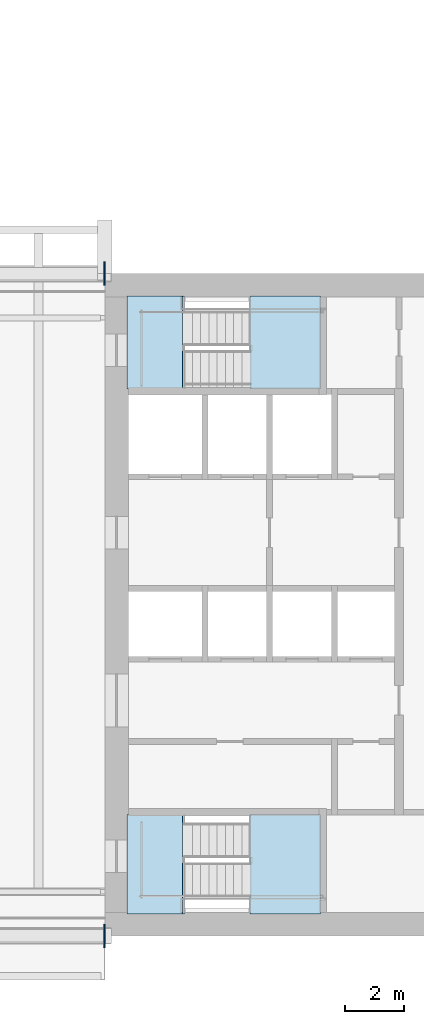
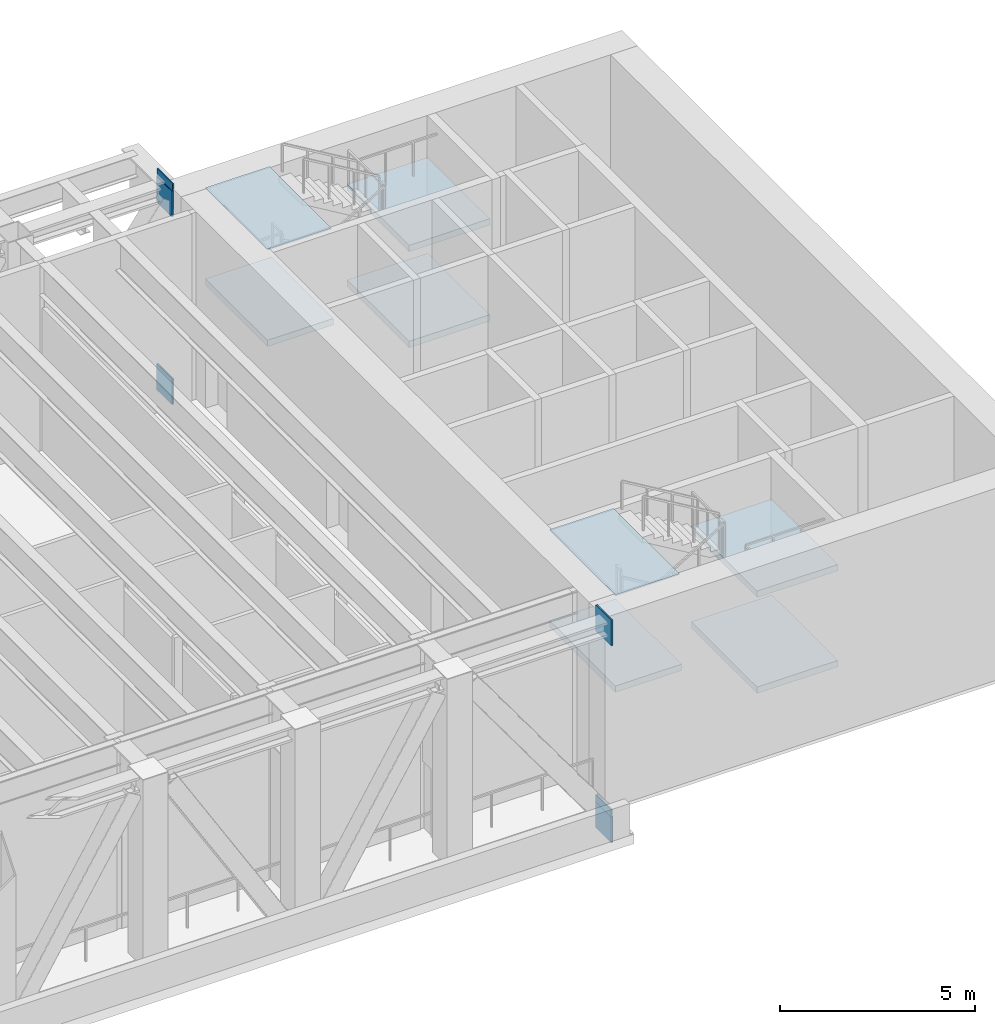
# One storey, part 4 of 20: 9 plates, 8 slabs, 2 elements without a shape of their own.
"""IFC4 building model written with IfcOpenShell, lengths in metres."""

import ifcopenshell
import ifcopenshell.guid

model = None  # the IFC model being written
_history = None  # IfcOwnerHistory: only IFC2X3 demands one
_inside = {}  # id of a spatial element -> (the spatial element, [elements in it])
_under = {}  # id of a project, library or spatial element -> (it, [spatial elements below it])
_declared = {}  # id of a project -> (the project, [libraries it declares])
_typed = {}  # id of a type object -> (the type object, [elements of that type])
_made_of = {}  # id of a material, layer set ... -> (it, [elements and type objects made of it])


def new_model(schema):
    """Start an empty IFC model of exactly this schema.

    Asked for "IFC4X3", IfcOpenShell would pick the latest addendum, in which some entities
    have other attributes; the version numbers below select the first issue.
    IFC2X3 requires an IfcOwnerHistory on every rooted entity: one is made here for all.
    """
    global model, _history
    if schema == "IFC4X3":
        model = ifcopenshell.file(schema_version=(4, 3, 0, 0))
    else:
        model = ifcopenshell.file(schema=schema)
    _inside.clear()
    _under.clear()
    _declared.clear()
    _typed.clear()
    _made_of.clear()
    _history = None
    if model.schema == "IFC2X3":
        org = make("IfcOrganization", Name="unknown")
        user = make(
            "IfcPersonAndOrganization",
            ThePerson=make("IfcPerson", FamilyName="unknown"),
            TheOrganization=org,
        )
        app = make(
            "IfcApplication",
            ApplicationDeveloper=org,
            Version="unknown",
            ApplicationFullName="unknown",
            ApplicationIdentifier="unknown",
        )
        _history = make(
            "IfcOwnerHistory",
            OwningUser=user,
            OwningApplication=app,
            ChangeAction="ADDED",
            CreationDate=0,
        )
    return model


def make(cls, **values):
    """One entity of the class cls with the attributes given. An attribute that is None is left unset."""
    return model.create_entity(
        cls, **{name: value for name, value in values.items() if value is not None}
    )


def rooted(cls, **values):
    """An entity with a GlobalId (a new one), such as an element, a storey or a relation."""
    return make(cls, GlobalId=ifcopenshell.guid.new(), OwnerHistory=_history, **values)


def si_unit(unit_type, name, prefix=None):
    """IfcSIUnit, for example si_unit("LENGTHUNIT", "METRE", prefix="MILLI")."""
    return make("IfcSIUnit", UnitType=unit_type, Prefix=prefix, Name=name)


def assignment(units):
    """IfcUnitAssignment: the units of a project."""
    return None if units is None else make("IfcUnitAssignment", Units=units)


def point(xyz):
    """IfcCartesianPoint."""
    return None if xyz is None else make("IfcCartesianPoint", Coordinates=xyz)


def direction(xyz):
    """IfcDirection."""
    return None if xyz is None else make("IfcDirection", DirectionRatios=xyz)


def frame(location, z_axis=None, x_axis=None):
    """IfcAxis2Placement3D, a coordinate frame: its origin and axes. An axis left out is left unset."""
    return make(
        "IfcAxis2Placement3D",
        Location=point(location),
        Axis=direction(z_axis),
        RefDirection=direction(x_axis),
    )


def frame_2d(location, x_axis=None):
    """IfcAxis2Placement2D, a coordinate frame in the plane: its origin and x axis."""
    return make(
        "IfcAxis2Placement2D", Location=point(location), RefDirection=direction(x_axis)
    )


def origin():
    """The frame at (0, 0, 0) with its axes left unset."""
    return frame((0.0, 0.0, 0.0))


def origin_2d():
    """The frame at (0, 0) in the plane with its x axis left unset."""
    return frame_2d((0.0, 0.0))


def place(relative_to, where):
    """IfcLocalPlacement: puts the frame where relative to a parent placement (None: the world)."""
    return make(
        "IfcLocalPlacement", PlacementRelTo=relative_to, RelativePlacement=where
    )


def context(
    kind, dimensions, precision=None, world=None, true_north=None, identifier=None
):
    """IfcGeometricRepresentationContext, for example the 3D "Model" context."""
    return make(
        "IfcGeometricRepresentationContext",
        ContextIdentifier=identifier,
        ContextType=kind,
        CoordinateSpaceDimension=dimensions,
        Precision=precision,
        WorldCoordinateSystem=world,
        TrueNorth=true_north,
    )


def subcontext(parent, identifier, kind, view, scale=None):
    """IfcGeometricRepresentationSubContext, for example "Body" below "Model"."""
    return make(
        "IfcGeometricRepresentationSubContext",
        ContextIdentifier=identifier,
        ContextType=kind,
        ParentContext=parent,
        TargetScale=scale,
        TargetView=view,
    )


def project(units=None, contexts=None):
    """IfcProject with its units and contexts."""
    return rooted(
        "IfcProject",
        Name="project",
        RepresentationContexts=contexts,
        UnitsInContext=assignment(units),
    )


def spatial(cls, under=None, at=None, **own):
    """A site, building, storey or space (cls), placed at a placement, below another one or the project."""
    s = rooted(cls, ObjectPlacement=at, **own)
    if under is not None:
        _under.setdefault(under.id(), (under, []))[1].append(s)
    return s


def polyline(points):
    """IfcPolyline through the points."""
    return make("IfcPolyline", Points=[point(p) for p in points])


def profile(cls, at=None, kind="AREA", **sizes):
    """A parametric profile (cls). Its sizes go by their IFC names, for example OverallWidth=200.0."""
    return make(cls, ProfileType=kind, Position=at, **sizes)


def rectangle(**sizes):
    """IfcRectangleProfileDef."""
    return profile("IfcRectangleProfileDef", **sizes)


def outline(outer, holes=None, kind="AREA"):
    """IfcArbitraryClosedProfileDef: a profile drawn as a closed curve; with holes, ...WithVoids."""
    if holes is None:
        return make("IfcArbitraryClosedProfileDef", ProfileType=kind, OuterCurve=outer)
    return make(
        "IfcArbitraryProfileDefWithVoids",
        ProfileType=kind,
        OuterCurve=outer,
        InnerCurves=holes,
    )


def extrude(swept, where, along, depth):
    """IfcExtrudedAreaSolid: the profile swept, set in the frame where, extruded along a direction by depth."""
    return make(
        "IfcExtrudedAreaSolid",
        SweptArea=swept,
        Position=where,
        ExtrudedDirection=direction(along),
        Depth=depth,
    )


def shape(context_of_items, identifier, shape_type, items):
    """IfcShapeRepresentation: the items that make up one representation, for example the "Body"."""
    return make(
        "IfcShapeRepresentation",
        ContextOfItems=context_of_items,
        RepresentationIdentifier=identifier,
        RepresentationType=shape_type,
        Items=items,
    )


def material(Name=None, Category=None):
    """IfcMaterial."""
    return make("IfcMaterial", Name=Name, Category=Category)


def layer(
    of_material, thickness, ventilated=None, Name=None, Category=None, Priority=None
):
    """IfcMaterialLayer: one layer of a wall or slab, of a material (None: an air gap)."""
    return make(
        "IfcMaterialLayer",
        Material=of_material,
        LayerThickness=thickness,
        IsVentilated=ventilated,
        Name=Name,
        Category=Category,
        Priority=Priority,
    )


def layer_set(layers, Name=None):
    """IfcMaterialLayerSet."""
    return make("IfcMaterialLayerSet", MaterialLayers=layers, LayerSetName=Name)


def made_of(thing, what):
    """Note that an element or type object is made of a material, layer set ...; save() writes the relation."""
    if what is not None:
        _made_of.setdefault(what.id(), (what, []))[1].append(thing)
    return thing


def type_object(cls, material=None, **own):
    """A type object (cls), such as IfcWallType, which elements share."""
    return made_of(rooted(cls, **own), material)


def element(
    cls,
    number,
    at=None,
    inside=None,
    cuts=None,
    type_object=None,
    material=None,
    context=None,
    identifier="Body",
    shape_type=None,
    held_by="IfcProductDefinitionShape",
    body=None,
    shapes=None,
    **own,
):
    """One element of the class cls, such as IfcWall. Its Tag is "e" and its number.

    at: its placement. inside: the storey or other place that contains it. cuts: it is an
    opening in that element (IfcRelVoidsElement). A single representation is given by context,
    identifier, shape_type and body (its items); several are given by shapes. held_by: the class
    of the entity that holds the representations. save() writes the other relations.
    """
    e = rooted(cls, Tag="e%d" % number, ObjectPlacement=at, **own)
    if body is not None:
        shapes = [shape(context, identifier, shape_type, body)]
    if shapes is not None:
        e.Representation = make(held_by, Representations=shapes)
    if inside is not None:
        _inside.setdefault(inside.id(), (inside, []))[1].append(e)
    if cuts is not None:
        rooted(
            "IfcRelVoidsElement", RelatingBuildingElement=cuts, RelatedOpeningElement=e
        )
    if type_object is not None:
        _typed.setdefault(type_object.id(), (type_object, []))[1].append(e)
    return made_of(e, material)


def aggregate(whole, parts):
    """IfcRelAggregates: a whole, such as a stair, and the parts it consists of."""
    return rooted("IfcRelAggregates", RelatingObject=whole, RelatedObjects=parts)


def save(model, path):
    """Write the relations noted so far, then the file.

    IfcRelAggregates (storeys below a building ...), IfcRelContainedInSpatialStructure (elements
    in a storey), IfcRelDefinesByType, IfcRelAssociatesMaterial and IfcRelDeclares: one each for
    every whole, place, type object, material and project.
    """
    for whole, parts in _under.values():
        aggregate(whole, parts)
    for where, things in _inside.values():
        rooted(
            "IfcRelContainedInSpatialStructure",
            RelatedElements=things,
            RelatingStructure=where,
        )
    for kind, things in _typed.values():
        rooted("IfcRelDefinesByType", RelatedObjects=things, RelatingType=kind)
    for what, things in _made_of.values():
        rooted("IfcRelAssociatesMaterial", RelatedObjects=things, RelatingMaterial=what)
    for by, libraries in _declared.values():
        rooted("IfcRelDeclares", RelatingContext=by, RelatedDefinitions=libraries)
    model.write(path)


model = new_model("IFC4")

# Units and contexts
model_context = context("Model", 3, precision=1e-05, world=origin(), true_north=direction((0.0, 1.0)))
body_context = subcontext(model_context, "Body", "Model", "MODEL_VIEW")
ifc_project = project(units=[si_unit("LENGTHUNIT", "METRE"), si_unit("AREAUNIT", "SQUARE_METRE"), si_unit("VOLUMEUNIT", "CUBIC_METRE"), si_unit("PLANEANGLEUNIT", "RADIAN"), si_unit("MASSUNIT", "GRAM", prefix="KILO")], contexts=[model_context])

# Site, building, storey
site_placement = place(None, origin())
site = spatial("IfcSite", under=ifc_project, at=site_placement, CompositionType="ELEMENT")
building_placement = place(site_placement, origin())
building = spatial("IfcBuilding", under=site, at=building_placement, Name="Sennacour Bend Tower", CompositionType="ELEMENT")
storey_placement = place(building_placement, frame((0.0, 0.0, 243.0)))
storey = spatial("IfcBuildingStorey", under=building, at=storey_placement, Name="L56", CompositionType="ELEMENT", Elevation=243.0)

# Plates
ifc_material_1 = material(Name="Steel ASTM A572 Grade 50", Category="steel")
ifc_layer_1 = layer(ifc_material_1, 0.0400390625, Name="Steel ASTM A572 Grade 50", Category="steel")
ifc_layer_set_1 = layer_set([ifc_layer_1], Name="Steel ASTM A572 Grade 50")
plate_type = type_object("IfcPlateType", Name="Cast-in plate 40", PredefinedType="USERDEFINED", material=ifc_layer_set_1)
for number, where, z_axis, x_axis, name in (
    (1, (54.0, 22.5, -0.87744140625), (0.0, 0.0, 1.0), (1.0, 0.0, 0.0), "Cast-in plate CP 40"),
    (2, (53.97998046875, 22.5, -0.87744140625), (0.0, 0.0, 1.0), (1.0, 0.0, 0.0), "Cast-in plate CP BC 40"),
    (3, (54.0, 0.0, -0.927734375), (0.0, 0.0, 1.0), (1.0, 0.0, 0.0), "Cast-in plate CP 40"),
    (4, (53.97998046875, 0.0, -0.927734375), (0.0, 0.0, 1.0), (1.0, 0.0, 0.0), "Cast-in plate CP BC 40"),
    (5, (54.0, 22.5, 5.22265625), (0.0, 0.0, 1.0), (1.0, 0.0, 0.0), "Cast-in plate CP 40"),
    (6, (54.0, 0.0, 5.22265625), (0.0, 0.0, 1.0), (1.0, 0.0, 0.0), "Cast-in plate CP 40"),
    (7, (53.97998046875, 0.0, 5.22265625), (0.0, 0.0, 1.0), (1.0, 0.0, 0.0), "Cast-in plate CP BC 40"),
    (8, (53.97998046875, 22.5, 4.9951171875), (0.0, 0.0, 1.0), (1.0, 0.0, 0.0), "Cast-in plate CP OTD 40"),
    (9, (53.97998046875, 0.0, -0.7001953125), (0.0, 0.0, 1.0), (1.0, 0.0, 0.0), "Cast-in plate CP OTD 40"),
):
    element("IfcPlate", number, at=place(storey_placement, frame(where, z_axis=z_axis, x_axis=x_axis)), inside=storey, type_object=plate_type, Name=name, ObjectType="CAST-IN PLATE", PredefinedType="USERDEFINED", context=body_context, shape_type="SweptSolid", body=[
        extrude(rectangle(XDim=0.0400390625, YDim=0.800048828125, at=origin_2d()), origin(), (0.0, 0.0, 1.0), 0.800048828125),
    ])

# Slabs
ifc_material_2 = material(Name="Concrete C40/50", Category="concrete")
ifc_layer_2 = layer(ifc_material_2, 0.034912109375, Name="Concrete C40/50", Category="concrete")
ifc_layer_set_2 = layer_set([ifc_layer_2], Name="Concrete C40/50")
slab_type_1 = type_object("IfcSlabType", Name="Stair arrival nib 35", PredefinedType="FLOOR", material=ifc_layer_set_2)
slab_1_placement = place(storey_placement, frame((0.0, 0.0, 5.815185546875)))
element("IfcSlab", 10, at=slab_1_placement, inside=storey, type_object=slab_type_1, Name="L56 SA1 stair arrival nib", PredefinedType="FLOOR", context=body_context, shape_type="SweptSolid", body=[
    extrude(outline(polyline([(56.64208984375, 4.125), (54.75, 4.125), (54.75, 0.75), (56.64208984375, 0.75), (56.64208984375, 4.125)])), origin(), (0.0, 0.0, 1.0), 0.034912109375),
])
slab_2_placement = place(storey_placement, frame((0.0, 0.0, 5.815185546875)))
element("IfcSlab", 11, at=slab_2_placement, inside=storey, type_object=slab_type_1, Name="L56 SA2 stair arrival nib", PredefinedType="FLOOR", context=body_context, shape_type="SweptSolid", body=[
    extrude(outline(polyline([(56.64208984375, 21.75), (54.75, 21.75), (54.75, 18.574951171875), (56.64208984375, 18.574951171875), (56.64208984375, 21.75)])), origin(), (0.0, 0.0, 1.0), 0.034912109375),
])

# Stair, slabs
stair_type = type_object("IfcStairType", Name="ST-DOGLEG", PredefinedType="HALF_TURN_STAIR", material=ifc_material_2)
stair_1_placement = place(storey_placement, origin())
stair_1 = element("IfcStair", 12, at=stair_1_placement, inside=storey, type_object=stair_type, Name="L56 Exit stair A1", PredefinedType="HALF_TURN_STAIR")
ifc_layer_3 = layer(ifc_material_2, 0.199951171875, Name="Concrete C40/50", Category="concrete")
ifc_layer_set_3 = layer_set([ifc_layer_3], Name="Concrete C40/50")
slab_type_2 = type_object("IfcSlabType", Name="Stair landing 200", PredefinedType="LANDING", material=ifc_layer_set_3)
slab_3_placement = place(storey_placement, frame((0.0, 0.0, 1.300048828125)))
slab_3 = element("IfcSlab", 13, at=slab_3_placement, type_object=slab_type_2, Name="SA1 landing 1", PredefinedType="LANDING", context=body_context, shape_type="SweptSolid", body=[
    extrude(outline(polyline([(58.93994140625, 0.75), (61.324951171875, 0.75), (61.324951171875, 4.125), (58.93994140625, 4.125), (58.93994140625, 0.75)])), origin(), (0.0, 0.0, 1.0), 0.199951171875),
])
slab_4_placement = place(storey_placement, frame((0.0, 0.0, 2.800048828125)))
slab_4 = element("IfcSlab", 14, at=slab_4_placement, type_object=slab_type_2, Name="SA1 landing 2", PredefinedType="LANDING", context=body_context, shape_type="SweptSolid", body=[
    extrude(outline(polyline([(54.75, 0.75), (56.699951171875, 0.75), (56.699951171875, 4.125), (54.75, 4.125), (54.75, 0.75)])), origin(), (0.0, 0.0, 1.0), 0.199951171875),
])
slab_5_placement = place(storey_placement, frame((0.0, 0.0, 4.300048828125)))
slab_5 = element("IfcSlab", 15, at=slab_5_placement, type_object=slab_type_2, Name="SA1 landing 3", PredefinedType="LANDING", context=body_context, shape_type="SweptSolid", body=[
    extrude(outline(polyline([(58.93994140625, 0.75), (61.324951171875, 0.75), (61.324951171875, 4.125), (58.93994140625, 4.125), (58.93994140625, 0.75)])), origin(), (0.0, 0.0, 1.0), 0.199951171875),
])
aggregate(stair_1, [slab_3, slab_4, slab_5])

stair_2_placement = place(storey_placement, origin())
stair_2 = element("IfcStair", 16, at=stair_2_placement, inside=storey, type_object=stair_type, Name="L56 Exit stair A2", PredefinedType="HALF_TURN_STAIR")
slab_6_placement = place(storey_placement, frame((0.0, 0.0, 1.300048828125)))
slab_6 = element("IfcSlab", 17, at=slab_6_placement, type_object=slab_type_2, Name="SA2 landing 1", PredefinedType="LANDING", context=body_context, shape_type="SweptSolid", body=[
    extrude(outline(polyline([(58.93994140625, 18.574951171875), (61.324951171875, 18.574951171875), (61.324951171875, 21.75), (58.93994140625, 21.75), (58.93994140625, 18.574951171875)])), origin(), (0.0, 0.0, 1.0), 0.199951171875),
])
slab_7_placement = place(storey_placement, frame((0.0, 0.0, 2.800048828125)))
slab_7 = element("IfcSlab", 18, at=slab_7_placement, type_object=slab_type_2, Name="SA2 landing 2", PredefinedType="LANDING", context=body_context, shape_type="SweptSolid", body=[
    extrude(outline(polyline([(54.75, 18.574951171875), (56.699951171875, 18.574951171875), (56.699951171875, 21.75), (54.75, 21.75), (54.75, 18.574951171875)])), origin(), (0.0, 0.0, 1.0), 0.199951171875),
])
slab_8_placement = place(storey_placement, frame((0.0, 0.0, 4.300048828125)))
slab_8 = element("IfcSlab", 19, at=slab_8_placement, type_object=slab_type_2, Name="SA2 landing 3", PredefinedType="LANDING", context=body_context, shape_type="SweptSolid", body=[
    extrude(outline(polyline([(58.93994140625, 18.574951171875), (61.324951171875, 18.574951171875), (61.324951171875, 21.75), (58.93994140625, 21.75), (58.93994140625, 18.574951171875)])), origin(), (0.0, 0.0, 1.0), 0.199951171875),
])
aggregate(stair_2, [slab_6, slab_7, slab_8])

save(model, "model.ifc")
